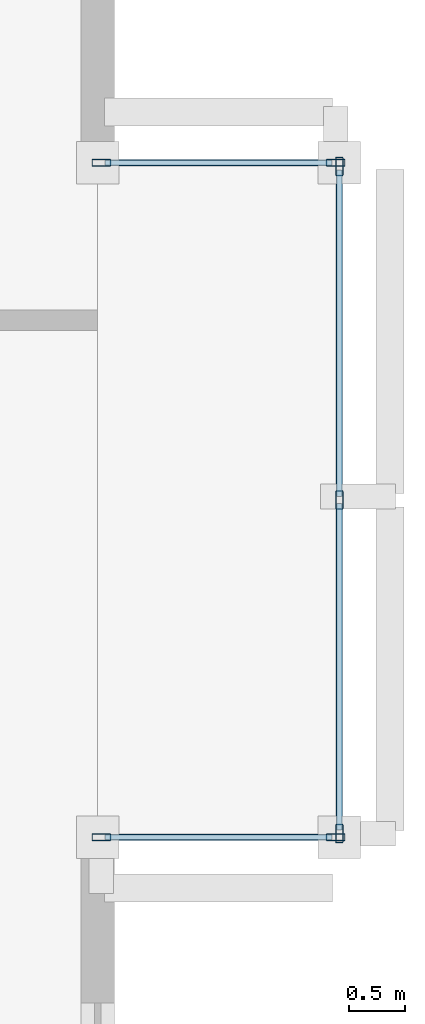
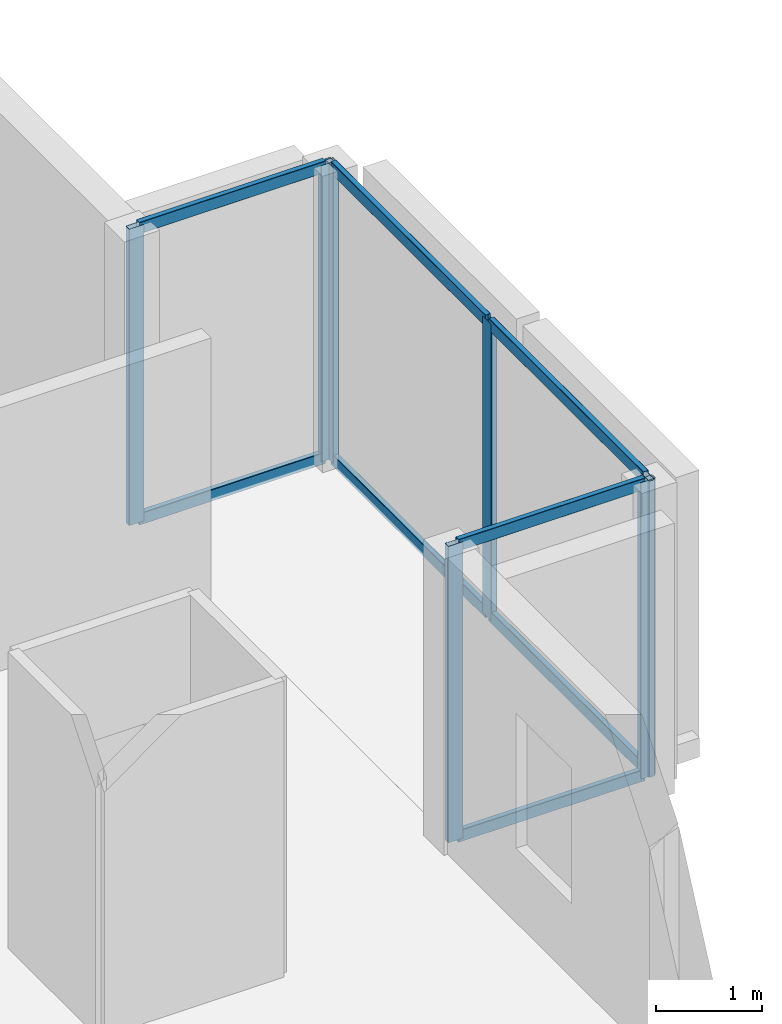
# One storey, part 4 of 14: 15 members, 3 elements without a shape of their own.
"""IFC4 building model written with IfcOpenShell, lengths in metres."""

from ifc_helpers import new_model, si_unit, direction, frame, origin, origin_2d, place, context, subcontext, project, spatial, hollow_rectangle, extrude, material, layer, layer_set, material_profile, profile_set, type_object, element, aggregate, save


model = new_model("IFC4")

# Units and contexts
model_context = context("Model", 3, precision=1e-05, world=origin(), true_north=direction((0.0, 1.0)))
body_context = subcontext(model_context, "Body", "Model", "MODEL_VIEW")
ifc_project = project(units=[si_unit("LENGTHUNIT", "METRE"), si_unit("AREAUNIT", "SQUARE_METRE"), si_unit("VOLUMEUNIT", "CUBIC_METRE"), si_unit("PLANEANGLEUNIT", "RADIAN"), si_unit("MASSUNIT", "GRAM", prefix="KILO")], contexts=[model_context])

# Site, building, storey
site_placement = place(None, origin())
site = spatial("IfcSite", under=ifc_project, at=site_placement, CompositionType="ELEMENT")
building_placement = place(site_placement, origin())
building = spatial("IfcBuilding", under=site, at=building_placement, Name="An Khanh Terracotta Commons", CompositionType="ELEMENT")
storey_placement = place(building_placement, frame((0.0, 0.0, 104.300048828125)))
storey = spatial("IfcBuildingStorey", under=building, at=storey_placement, Name="L27", CompositionType="ELEMENT", Elevation=104.300048828125)

# Curtain wall, members
ifc_material = material(Name="Anodised Aluminium 6063-T6", Category="aluminium")
ifc_layer = layer(ifc_material, 0.239990234375, Name="Anodised Aluminium 6063-T6")
ifc_layer_set = layer_set([ifc_layer], Name="Anodised Aluminium 6063-T6")
curtain_wall_type = type_object("IfcCurtainWallType", Name="CW-SYS-04", PredefinedType="USERDEFINED", material=ifc_layer_set)
curtain_wall_1_placement = place(storey_placement, origin())
curtain_wall_1 = element("IfcCurtainWall", 1, at=curtain_wall_1_placement, inside=storey, type_object=curtain_wall_type, Name="L27 CW-04 Unitised Curtain Wall CW-L27-EBOX-1", ObjectType="UNITISED CURTAIN WALL", PredefinedType="USERDEFINED")
ifc_material_profile_1 = material_profile(ifc_material, hollow_rectangle(XDim=0.06494140625, YDim=0.1650390625, WallThickness=0.00390625, InnerFilletRadius=0.00390625, OuterFilletRadius=0.008056640625, at=origin_2d()), Name="RHS165x65x4")
ifc_profile_set_1 = profile_set([ifc_material_profile_1], Name="Anodised Aluminium 6063-T6")
member_type_1 = type_object("IfcMemberType", Name="CWM-RHS165x65x4", PredefinedType="MULLION", material=ifc_profile_set_1)
member_1_placement = place(storey_placement, frame((59.550048828125, 19.4326171875, 0.0), z_axis=(0.0, 0.0, 1.0), x_axis=(-1.0, 0.0, 0.0)))
member_1 = element("IfcMember", 2, at=member_1_placement, type_object=member_type_1, Name="CW-04 mullion 1", PredefinedType="MULLION", context=body_context, shape_type="SweptSolid", body=[
    extrude(hollow_rectangle(XDim=0.06494140625, YDim=0.1650390625, WallThickness=0.00390625, InnerFilletRadius=0.00390625, OuterFilletRadius=0.008056640625, at=origin_2d()), origin(), (0.0, 0.0, 1.0), 3.39990234375),
])
member_2_placement = place(storey_placement, frame((59.550048828125, 22.39990234375, 0.0), z_axis=(0.0, 0.0, 1.0), x_axis=(-1.0, 0.0, 0.0)))
member_2 = element("IfcMember", 3, at=member_2_placement, type_object=member_type_1, Name="CW-04 mullion 2", PredefinedType="MULLION", context=body_context, shape_type="SweptSolid", body=[
    extrude(hollow_rectangle(XDim=0.06494140625, YDim=0.1650390625, WallThickness=0.00390625, InnerFilletRadius=0.00390625, OuterFilletRadius=0.008056640625, at=origin_2d()), origin(), (0.0, 0.0, 1.0), 3.39990234375),
])
member_3_placement = place(storey_placement, frame((59.550048828125, 25.367431640625, 0.0), z_axis=(0.0, 0.0, 1.0), x_axis=(-1.0, 0.0, 0.0)))
member_3 = element("IfcMember", 4, at=member_3_placement, type_object=member_type_1, Name="CW-04 mullion 3", PredefinedType="MULLION", context=body_context, shape_type="SweptSolid", body=[
    extrude(hollow_rectangle(XDim=0.06494140625, YDim=0.1650390625, WallThickness=0.00390625, InnerFilletRadius=0.00390625, OuterFilletRadius=0.008056640625, at=origin_2d()), origin(), (0.0, 0.0, 1.0), 3.39990234375),
])

curtain_wall_2_placement = place(storey_placement, origin())
curtain_wall_2 = element("IfcCurtainWall", 5, at=curtain_wall_2_placement, inside=storey, type_object=curtain_wall_type, Name="L27 CW-04 Unitised Curtain Wall CW-L27-EBOX-2", ObjectType="UNITISED CURTAIN WALL", PredefinedType="USERDEFINED")
member_4_placement = place(storey_placement, frame((57.4326171875, 19.39990234375, 0.0), z_axis=(0.0, 0.0, 1.0), x_axis=(0.0, 1.0, 0.0)))
member_4 = element("IfcMember", 6, at=member_4_placement, type_object=member_type_1, Name="CW-04 mullion 1", PredefinedType="MULLION", context=body_context, shape_type="SweptSolid", body=[
    extrude(hollow_rectangle(XDim=0.06494140625, YDim=0.1650390625, WallThickness=0.00390625, InnerFilletRadius=0.00390625, OuterFilletRadius=0.008056640625, at=origin_2d()), origin(), (0.0, 0.0, 1.0), 3.39990234375),
])
member_5_placement = place(storey_placement, frame((59.517578125, 19.39990234375, 0.0), z_axis=(0.0, 0.0, 1.0), x_axis=(0.0, 1.0, 0.0)))
member_5 = element("IfcMember", 7, at=member_5_placement, type_object=member_type_1, Name="CW-04 mullion 2", PredefinedType="MULLION", context=body_context, shape_type="SweptSolid", body=[
    extrude(hollow_rectangle(XDim=0.06494140625, YDim=0.1650390625, WallThickness=0.00390625, InnerFilletRadius=0.00390625, OuterFilletRadius=0.008056640625, at=origin_2d()), origin(), (0.0, 0.0, 1.0), 3.39990234375),
])

curtain_wall_3_placement = place(storey_placement, origin())
curtain_wall_3 = element("IfcCurtainWall", 8, at=curtain_wall_3_placement, inside=storey, type_object=curtain_wall_type, Name="L27 CW-04 Unitised Curtain Wall CW-L27-EBOX-3", ObjectType="UNITISED CURTAIN WALL", PredefinedType="USERDEFINED")
member_6_placement = place(storey_placement, frame((59.517578125, 25.39990234375, 0.0), z_axis=(0.0, 0.0, 1.0), x_axis=(0.0, -1.0, 0.0)))
member_6 = element("IfcMember", 9, at=member_6_placement, type_object=member_type_1, Name="CW-04 mullion 1", PredefinedType="MULLION", context=body_context, shape_type="SweptSolid", body=[
    extrude(hollow_rectangle(XDim=0.06494140625, YDim=0.1650390625, WallThickness=0.00390625, InnerFilletRadius=0.00390625, OuterFilletRadius=0.008056640625, at=origin_2d()), origin(), (0.0, 0.0, 1.0), 3.39990234375),
])
member_7_placement = place(storey_placement, frame((57.4326171875, 25.39990234375, 0.0), z_axis=(0.0, 0.0, 1.0), x_axis=(0.0, -1.0, 0.0)))
member_7 = element("IfcMember", 10, at=member_7_placement, type_object=member_type_1, Name="CW-04 mullion 2", PredefinedType="MULLION", context=body_context, shape_type="SweptSolid", body=[
    extrude(hollow_rectangle(XDim=0.06494140625, YDim=0.1650390625, WallThickness=0.00390625, InnerFilletRadius=0.00390625, OuterFilletRadius=0.008056640625, at=origin_2d()), origin(), (0.0, 0.0, 1.0), 3.39990234375),
])

# Member
ifc_material_profile_2 = material_profile(ifc_material, hollow_rectangle(XDim=0.06005859375, YDim=0.135009765625, WallThickness=0.003662109375, InnerFilletRadius=0.003662109375, OuterFilletRadius=0.007080078125, at=origin_2d()), Name="RHS135x60x3.6")
ifc_profile_set_2 = profile_set([ifc_material_profile_2], Name="Anodised Aluminium 6063-T6")
member_type_2 = type_object("IfcMemberType", Name="CWT-RHS135x60x3.6", PredefinedType="USERDEFINED", material=ifc_profile_set_2)
member_8_placement = place(storey_placement, frame((59.550048828125, 19.465087890625, 0.030029296875), z_axis=(0.0, 1.0, 0.0), x_axis=(-1.0, 0.0, 0.0)))
member_8 = element("IfcMember", 11, at=member_8_placement, type_object=member_type_2, Name="CW-04 transom 1.1", ObjectType="TRANSOM", PredefinedType="USERDEFINED", context=body_context, shape_type="SweptSolid", body=[
    extrude(hollow_rectangle(XDim=0.06005859375, YDim=0.135009765625, WallThickness=0.003662109375, InnerFilletRadius=0.003662109375, OuterFilletRadius=0.007080078125, at=origin_2d()), origin(), (0.0, 0.0, 1.0), 2.90234375),
])

member_9_placement = place(storey_placement, frame((59.550048828125, 19.465087890625, 3.369873046875), z_axis=(0.0, 1.0, 0.0), x_axis=(-1.0, 0.0, 0.0)))
member_9 = element("IfcMember", 12, at=member_9_placement, type_object=member_type_2, Name="CW-04 transom 1.2", ObjectType="TRANSOM", PredefinedType="USERDEFINED", context=body_context, shape_type="SweptSolid", body=[
    extrude(hollow_rectangle(XDim=0.06005859375, YDim=0.135009765625, WallThickness=0.003662109375, InnerFilletRadius=0.003662109375, OuterFilletRadius=0.007080078125, at=origin_2d()), origin(), (0.0, 0.0, 1.0), 2.90234375),
])

member_10_placement = place(storey_placement, frame((59.550048828125, 22.4326171875, 0.030029296875), z_axis=(0.0, 1.0, 0.0), x_axis=(-1.0, 0.0, 0.0)))
member_10 = element("IfcMember", 13, at=member_10_placement, type_object=member_type_2, Name="CW-04 transom 2.1", ObjectType="TRANSOM", PredefinedType="USERDEFINED", context=body_context, shape_type="SweptSolid", body=[
    extrude(hollow_rectangle(XDim=0.06005859375, YDim=0.135009765625, WallThickness=0.003662109375, InnerFilletRadius=0.003662109375, OuterFilletRadius=0.007080078125, at=origin_2d()), origin(), (0.0, 0.0, 1.0), 2.90234375),
])

member_11_placement = place(storey_placement, frame((59.550048828125, 22.4326171875, 3.369873046875), z_axis=(0.0, 1.0, 0.0), x_axis=(-1.0, 0.0, 0.0)))
member_11 = element("IfcMember", 14, at=member_11_placement, type_object=member_type_2, Name="CW-04 transom 2.2", ObjectType="TRANSOM", PredefinedType="USERDEFINED", context=body_context, shape_type="SweptSolid", body=[
    extrude(hollow_rectangle(XDim=0.06005859375, YDim=0.135009765625, WallThickness=0.003662109375, InnerFilletRadius=0.003662109375, OuterFilletRadius=0.007080078125, at=origin_2d()), origin(), (0.0, 0.0, 1.0), 2.90234375),
])

aggregate(curtain_wall_1, [member_1, member_2, member_3, member_8, member_9, member_10, member_11])

member_12_placement = place(storey_placement, frame((57.465087890625, 19.39990234375, 0.030029296875), z_axis=(1.0, 0.0, 0.0), x_axis=(0.0, 1.0, 0.0)))
member_12 = element("IfcMember", 15, at=member_12_placement, type_object=member_type_2, Name="CW-04 transom 1.1", ObjectType="TRANSOM", PredefinedType="USERDEFINED", context=body_context, shape_type="SweptSolid", body=[
    extrude(hollow_rectangle(XDim=0.06005859375, YDim=0.135009765625, WallThickness=0.003662109375, InnerFilletRadius=0.003662109375, OuterFilletRadius=0.007080078125, at=origin_2d()), origin(), (0.0, 0.0, 1.0), 2.02001953125),
])

member_13_placement = place(storey_placement, frame((57.465087890625, 19.39990234375, 3.369873046875), z_axis=(1.0, 0.0, 0.0), x_axis=(0.0, 1.0, 0.0)))
member_13 = element("IfcMember", 16, at=member_13_placement, type_object=member_type_2, Name="CW-04 transom 1.2", ObjectType="TRANSOM", PredefinedType="USERDEFINED", context=body_context, shape_type="SweptSolid", body=[
    extrude(hollow_rectangle(XDim=0.06005859375, YDim=0.135009765625, WallThickness=0.003662109375, InnerFilletRadius=0.003662109375, OuterFilletRadius=0.007080078125, at=origin_2d()), origin(), (0.0, 0.0, 1.0), 2.02001953125),
])

aggregate(curtain_wall_2, [member_4, member_5, member_12, member_13])

member_14_placement = place(storey_placement, frame((59.485107421875, 25.39990234375, 0.030029296875), z_axis=(-1.0, 0.0, 0.0), x_axis=(0.0, -1.0, 0.0)))
member_14 = element("IfcMember", 17, at=member_14_placement, type_object=member_type_2, Name="CW-04 transom 1.1", ObjectType="TRANSOM", PredefinedType="USERDEFINED", context=body_context, shape_type="SweptSolid", body=[
    extrude(hollow_rectangle(XDim=0.06005859375, YDim=0.135009765625, WallThickness=0.003662109375, InnerFilletRadius=0.003662109375, OuterFilletRadius=0.007080078125, at=origin_2d()), origin(), (0.0, 0.0, 1.0), 2.02001953125),
])

member_15_placement = place(storey_placement, frame((59.485107421875, 25.39990234375, 3.369873046875), z_axis=(-1.0, 0.0, 0.0), x_axis=(0.0, -1.0, 0.0)))
member_15 = element("IfcMember", 18, at=member_15_placement, type_object=member_type_2, Name="CW-04 transom 1.2", ObjectType="TRANSOM", PredefinedType="USERDEFINED", context=body_context, shape_type="SweptSolid", body=[
    extrude(hollow_rectangle(XDim=0.06005859375, YDim=0.135009765625, WallThickness=0.003662109375, InnerFilletRadius=0.003662109375, OuterFilletRadius=0.007080078125, at=origin_2d()), origin(), (0.0, 0.0, 1.0), 2.02001953125),
])

aggregate(curtain_wall_3, [member_6, member_7, member_14, member_15])

save(model, "model.ifc")
